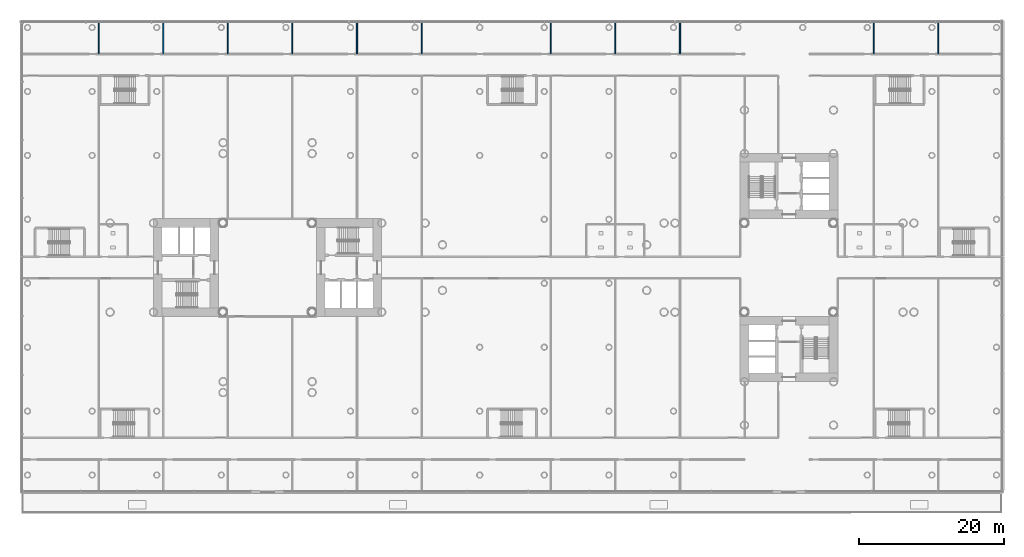
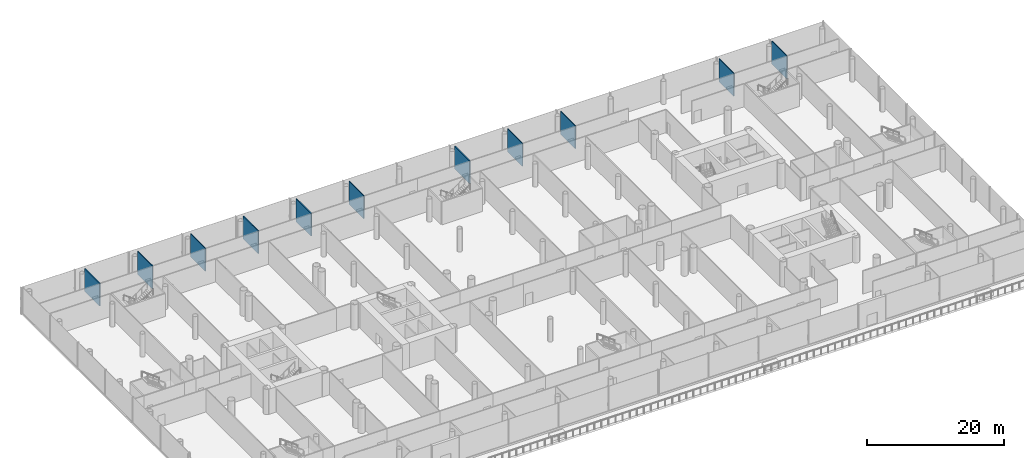
# One storey, part 24 of 49: 11 walls.
"""IFC4 building model written with IfcOpenShell, lengths in metres."""

from ifc_helpers import new_model, si_unit, direction, frame, frame_2d, origin, place, context, subcontext, project, spatial, rectangle, extrude, material, layer, layer_set, type_object, element, save


model = new_model("IFC4")

# Units and contexts
model_context = context("Model", 3, precision=1e-05, world=origin(), true_north=direction((0.0, 1.0)))
body_context = subcontext(model_context, "Body", "Model", "MODEL_VIEW")
ifc_project = project(units=[si_unit("LENGTHUNIT", "METRE"), si_unit("AREAUNIT", "SQUARE_METRE"), si_unit("VOLUMEUNIT", "CUBIC_METRE"), si_unit("PLANEANGLEUNIT", "RADIAN"), si_unit("MASSUNIT", "GRAM", prefix="KILO")], contexts=[model_context])

# Site, building, storey
site_placement = place(None, origin())
site = spatial("IfcSite", under=ifc_project, at=site_placement, CompositionType="ELEMENT")
building_placement = place(site_placement, origin())
building = spatial("IfcBuilding", under=site, at=building_placement, Name="Ipe Terrace Towers", CompositionType="ELEMENT")
storey_placement = place(building_placement, frame((0.0, 0.0, 20.0)))
storey = spatial("IfcBuildingStorey", under=building, at=storey_placement, Name="L04", CompositionType="ELEMENT", Elevation=20.0)

# Walls
ifc_material = material(Name="Gypsum board partition", Category="plasterboard")
ifc_layer = layer(ifc_material, 0.14990234375)
ifc_layer_set = layer_set([ifc_layer], Name="Gypsum board partition 150 mm")
wall_type = type_object("IfcWallType", Name="Gypsum board partition 150 mm", PredefinedType="PARTITIONING", material=ifc_layer_set)
for number, where, z_axis, x_axis, name in (
    (1, (-59.330078125, 33.85009765625, 0.0), (0.0, 0.0, 1.0), (0.0, -1.0, 0.0), "Gypsum board partition T1 L04 pd-r3-r6-w10"),
    (2, (-50.409912109375, 29.5, 0.0), (0.0, 0.0, 1.0), (0.0, 1.0, 0.0), "Gypsum board partition T1 L04 pd-r10-r6-w23"),
    (3, (-41.489990234375, 33.85009765625, 0.0), (0.0, 0.0, 1.0), (0.0, -1.0, 0.0), "Gypsum board partition T1 L04 pd-r10-r15-w24"),
    (4, (-32.570068359375, 33.85009765625, 0.0), (0.0, 0.0, 1.0), (0.0, -1.0, 0.0), "Gypsum board partition T1 L04 pd-r15-r19-w40"),
    (5, (-23.64990234375, 33.85009765625, 0.0), (0.0, 0.0, 1.0), (0.0, -1.0, 0.0), "Gypsum board partition T1 L04 pd-r19-r21-w50"),
    (6, (-14.72998046875, 33.85009765625, 0.0), (0.0, 0.0, 1.0), (0.0, -1.0, 0.0), "Gypsum board partition T1 L04 pd-r21-r27-w54"),
    (7, (3.110107421875, 33.85009765625, 0.0), (0.0, 0.0, 1.0), (0.0, -1.0, 0.0), "Gypsum board partition T2 L04 pd-r29-r35-w3"),
    (8, (12.030029296875, 33.85009765625, 0.0), (0.0, 0.0, 1.0), (0.0, -1.0, 0.0), "Gypsum board partition T2 L04 pd-r35-r38-w19"),
    (9, (20.949951171875, 33.85009765625, 0.0), (0.0, 0.0, 1.0), (0.0, -1.0, 0.0), "Gypsum board partition T2 L04 pd-r38-r43-w26"),
    (10, (47.7099609375, 33.85009765625, 0.0), (0.0, 0.0, 1.0), (0.0, -1.0, 0.0), "Gypsum board partition T2 L04 pd-r47-r51-w47"),
    (11, (56.6298828125, 33.85009765625, 0.0), (0.0, 0.0, 1.0), (0.0, -1.0, 0.0), "Gypsum board partition T2 L04 pd-r51-r56-w59"),
):
    element("IfcWall", number, at=place(storey_placement, frame(where, z_axis=z_axis, x_axis=x_axis)), inside=storey, type_object=wall_type, Name=name, PredefinedType="PARTITIONING", context=body_context, shape_type="SweptSolid", body=[
        extrude(rectangle(XDim=4.35009765625, YDim=0.14990234375, at=frame_2d((2.175048828125, 0.0))), origin(), (0.0, 0.0, 1.0), 4.074951171875),
    ])

save(model, "model.ifc")
